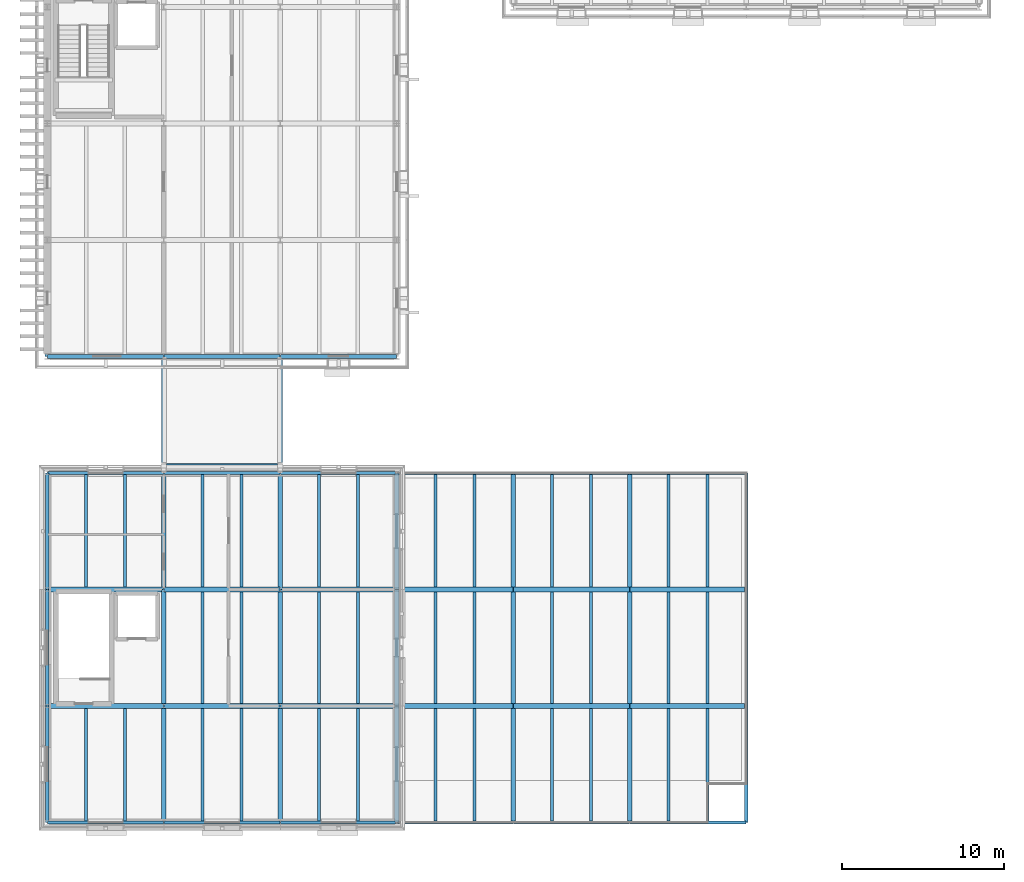
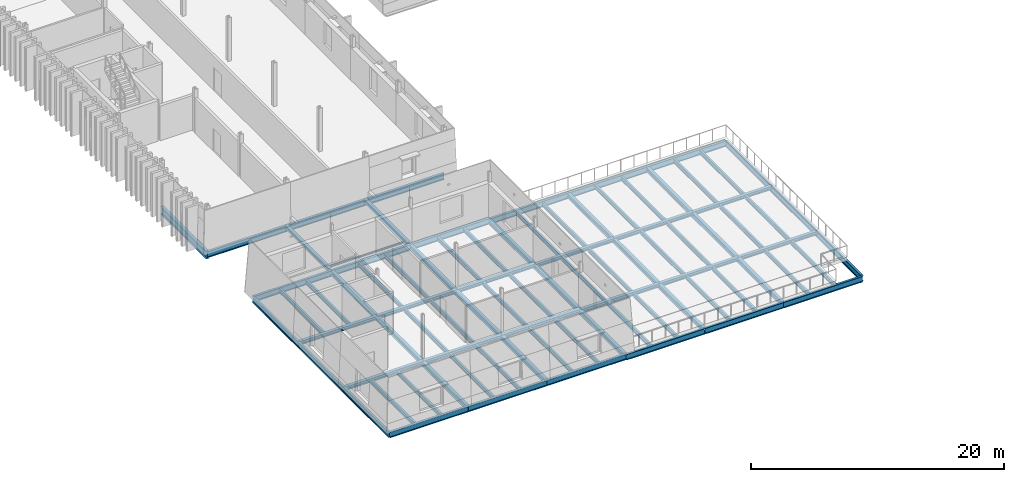
# One storey, part 18 of 115: 86 beams.
"""IFC4 building model written with IfcOpenShell, lengths in metres."""

from ifc_helpers import new_model, si_unit, direction, frame, origin, origin_2d, place, context, subcontext, project, spatial, i_section, extrude, material, material_profile, profile_set, type_object, element, save


model = new_model("IFC4")

# Units and contexts
model_context = context("Model", 3, precision=1e-05, world=origin(), true_north=direction((0.0, 1.0)))
body_context = subcontext(model_context, "Body", "Model", "MODEL_VIEW")
ifc_project = project(units=[si_unit("LENGTHUNIT", "METRE"), si_unit("AREAUNIT", "SQUARE_METRE"), si_unit("VOLUMEUNIT", "CUBIC_METRE"), si_unit("PLANEANGLEUNIT", "RADIAN"), si_unit("MASSUNIT", "GRAM", prefix="KILO")], contexts=[model_context])

# Site, building, storey
site_placement = place(None, origin())
site = spatial("IfcSite", under=ifc_project, at=site_placement, CompositionType="ELEMENT")
building_placement = place(site_placement, origin())
building = spatial("IfcBuilding", under=site, at=building_placement, Name="Narikvali Park Central Library", CompositionType="ELEMENT")
storey_placement = place(building_placement, frame((0.0, 0.0, 10.199951171875)))
storey = spatial("IfcBuildingStorey", under=building, at=storey_placement, Name="L02", CompositionType="ELEMENT", Elevation=10.199951171875)

# Beams
ifc_material = material(Name="Steel S355", Category="steel")
ifc_material_profile_1 = material_profile(ifc_material, i_section(OverallWidth=0.300048828125, OverallDepth=0.35009765625, WebThickness=0.010009765625, FlangeThickness=0.017578125, FilletRadius=0.027099609375, at=origin_2d()), Name="HEA 360")
ifc_profile_set_1 = profile_set([ifc_material_profile_1], Name="Steel S355")
beam_type_1 = type_object("IfcBeamType", Name="Bridge Sliding Girder HEA360", PredefinedType="BEAM", material=ifc_profile_set_1)
for number, where, z_axis, x_axis, name in (
    (1, (7.199951171875, 21.820068359375, -0.4150390625), (0.0, 1.0, 0.0), (-1.0, 0.0, 0.0), "BRG-5 L02 Sliding Bridge Girder 1-1"),
    (2, (14.39990234375, 21.820068359375, -0.4150390625), (0.0, 1.0, 0.0), (-1.0, 0.0, 0.0), "BRG-5 L02 Sliding Bridge Girder 2-1"),
):
    element("IfcBeam", number, at=place(storey_placement, frame(where, z_axis=z_axis, x_axis=x_axis)), inside=storey, type_object=beam_type_1, Name=name, PredefinedType="BEAM", context=body_context, shape_type="SweptSolid", body=[
        extrude(i_section(OverallWidth=0.300048828125, OverallDepth=0.35009765625, WebThickness=0.010009765625, FlangeThickness=0.017578125, FilletRadius=0.027099609375, at=origin_2d()), origin(), (0.0, 0.0, 1.0), 6.969970703125),
    ])
ifc_material_profile_2 = material_profile(ifc_material, i_section(OverallWidth=0.179931640625, OverallDepth=0.39990234375, WebThickness=0.008544921875, FlangeThickness=0.013427734375, FilletRadius=0.02099609375, at=origin_2d()), Name="IPE 400")
ifc_profile_set_2 = profile_set([ifc_material_profile_2], Name="Steel S355")
beam_type_2 = type_object("IfcBeamType", Name="Composite Floor Joist IPE400", PredefinedType="JOIST", material=ifc_profile_set_2)
for number, where, z_axis, x_axis, name in (
    (3, (2.39990234375, 0.10498046875, -0.47998046875), (0.0, 1.0, 0.0), (-1.0, 0.0, 0.0), "V2 L02 Composite Joist 1"),
    (4, (4.800048828125, 0.10498046875, -0.47998046875), (0.0, 1.0, 0.0), (-1.0, 0.0, 0.0), "V2 L02 Composite Joist 2"),
    (5, (2.39990234375, 14.550048828125, -0.47998046875), (0.0, 1.0, 0.0), (-1.0, 0.0, 0.0), "V2 L02 Composite Joist 1"),
    (6, (4.800048828125, 14.550048828125, -0.47998046875), (0.0, 1.0, 0.0), (-1.0, 0.0, 0.0), "V2 L02 Composite Joist 2"),
    (7, (9.60009765625, 0.10498046875, -0.47998046875), (0.0, 1.0, 0.0), (-1.0, 0.0, 0.0), "V2 L02 Composite Joist 1"),
    (8, (12.0, 0.10498046875, -0.47998046875), (0.0, 1.0, 0.0), (-1.0, 0.0, 0.0), "V2 L02 Composite Joist 2"),
):
    element("IfcBeam", number, at=place(storey_placement, frame(where, z_axis=z_axis, x_axis=x_axis)), inside=storey, type_object=beam_type_2, Name=name, PredefinedType="JOIST", context=body_context, shape_type="SweptSolid", body=[
        extrude(i_section(OverallWidth=0.179931640625, OverallDepth=0.39990234375, WebThickness=0.008544921875, FlangeThickness=0.013427734375, FilletRadius=0.02099609375, at=origin_2d()), origin(), (0.0, 0.0, 1.0), 6.945068359375),
    ])
for number, where, z_axis, x_axis, name in (
    (9, (9.60009765625, 7.35009765625, -0.47998046875), (0.0, 1.0, 0.0), (-1.0, 0.0, 0.0), "V2 L02 Composite Joist 1"),
    (10, (12.0, 7.35009765625, -0.47998046875), (0.0, 1.0, 0.0), (-1.0, 0.0, 0.0), "V2 L02 Composite Joist 2"),
):
    element("IfcBeam", number, at=place(storey_placement, frame(where, z_axis=z_axis, x_axis=x_axis)), inside=storey, type_object=beam_type_2, Name=name, PredefinedType="JOIST", context=body_context, shape_type="SweptSolid", body=[
        extrude(i_section(OverallWidth=0.179931640625, OverallDepth=0.39990234375, WebThickness=0.008544921875, FlangeThickness=0.013427734375, FilletRadius=0.02099609375, at=origin_2d()), origin(), (0.0, 0.0, 1.0), 6.89990234375),
    ])
for number, where, z_axis, x_axis, name in (
    (11, (9.60009765625, 14.550048828125, -0.47998046875), (0.0, 1.0, 0.0), (-1.0, 0.0, 0.0), "V2 L02 Composite Joist 1"),
    (12, (12.0, 14.550048828125, -0.47998046875), (0.0, 1.0, 0.0), (-1.0, 0.0, 0.0), "V2 L02 Composite Joist 2"),
    (13, (16.800048828125, 0.10498046875, -0.47998046875), (0.0, 1.0, 0.0), (-1.0, 0.0, 0.0), "V2 L02 Composite Joist 1"),
    (14, (19.199951171875, 0.10498046875, -0.47998046875), (0.0, 1.0, 0.0), (-1.0, 0.0, 0.0), "V2 L02 Composite Joist 2"),
):
    element("IfcBeam", number, at=place(storey_placement, frame(where, z_axis=z_axis, x_axis=x_axis)), inside=storey, type_object=beam_type_2, Name=name, PredefinedType="JOIST", context=body_context, shape_type="SweptSolid", body=[
        extrude(i_section(OverallWidth=0.179931640625, OverallDepth=0.39990234375, WebThickness=0.008544921875, FlangeThickness=0.013427734375, FilletRadius=0.02099609375, at=origin_2d()), origin(), (0.0, 0.0, 1.0), 6.945068359375),
    ])
for number, where, z_axis, x_axis, name in (
    (15, (16.800048828125, 7.35009765625, -0.47998046875), (0.0, 1.0, 0.0), (-1.0, 0.0, 0.0), "V2 L02 Composite Joist 1"),
    (16, (19.199951171875, 7.35009765625, -0.47998046875), (0.0, 1.0, 0.0), (-1.0, 0.0, 0.0), "V2 L02 Composite Joist 2"),
):
    element("IfcBeam", number, at=place(storey_placement, frame(where, z_axis=z_axis, x_axis=x_axis)), inside=storey, type_object=beam_type_2, Name=name, PredefinedType="JOIST", context=body_context, shape_type="SweptSolid", body=[
        extrude(i_section(OverallWidth=0.179931640625, OverallDepth=0.39990234375, WebThickness=0.008544921875, FlangeThickness=0.013427734375, FilletRadius=0.02099609375, at=origin_2d()), origin(), (0.0, 0.0, 1.0), 6.89990234375),
    ])
for number, where, z_axis, x_axis, name in (
    (17, (16.800048828125, 14.550048828125, -0.47998046875), (0.0, 1.0, 0.0), (-1.0, 0.0, 0.0), "V2 L02 Composite Joist 1"),
    (18, (19.199951171875, 14.550048828125, -0.47998046875), (0.0, 1.0, 0.0), (-1.0, 0.0, 0.0), "V2 L02 Composite Joist 2"),
    (19, (24.0, 0.10498046875, -0.5400390625), (0.0, 1.0, 0.0), (-1.0, 0.0, 0.0), "V2 L02 Composite Joist 1"),
    (20, (26.39990234375, 0.10498046875, -0.5400390625), (0.0, 1.0, 0.0), (-1.0, 0.0, 0.0), "V2 L02 Composite Joist 2"),
):
    element("IfcBeam", number, at=place(storey_placement, frame(where, z_axis=z_axis, x_axis=x_axis)), inside=storey, type_object=beam_type_2, Name=name, PredefinedType="JOIST", context=body_context, shape_type="SweptSolid", body=[
        extrude(i_section(OverallWidth=0.179931640625, OverallDepth=0.39990234375, WebThickness=0.008544921875, FlangeThickness=0.013427734375, FilletRadius=0.02099609375, at=origin_2d()), origin(), (0.0, 0.0, 1.0), 6.945068359375),
    ])
for number, where, z_axis, x_axis, name in (
    (21, (24.0, 7.35009765625, -0.5400390625), (0.0, 1.0, 0.0), (-1.0, 0.0, 0.0), "V2 L02 Composite Joist 1"),
    (22, (26.39990234375, 7.35009765625, -0.5400390625), (0.0, 1.0, 0.0), (-1.0, 0.0, 0.0), "V2 L02 Composite Joist 2"),
):
    element("IfcBeam", number, at=place(storey_placement, frame(where, z_axis=z_axis, x_axis=x_axis)), inside=storey, type_object=beam_type_2, Name=name, PredefinedType="JOIST", context=body_context, shape_type="SweptSolid", body=[
        extrude(i_section(OverallWidth=0.179931640625, OverallDepth=0.39990234375, WebThickness=0.008544921875, FlangeThickness=0.013427734375, FilletRadius=0.02099609375, at=origin_2d()), origin(), (0.0, 0.0, 1.0), 6.89990234375),
    ])
for number, where, z_axis, x_axis, name in (
    (23, (24.0, 14.550048828125, -0.5400390625), (0.0, 1.0, 0.0), (-1.0, 0.0, 0.0), "V2 L02 Composite Joist 1"),
    (24, (26.39990234375, 14.550048828125, -0.5400390625), (0.0, 1.0, 0.0), (-1.0, 0.0, 0.0), "V2 L02 Composite Joist 2"),
    (25, (31.199951171875, 0.10498046875, -0.5400390625), (0.0, 1.0, 0.0), (-1.0, 0.0, 0.0), "V2 L02 Composite Joist 1"),
    (26, (33.60009765625, 0.10498046875, -0.5400390625), (0.0, 1.0, 0.0), (-1.0, 0.0, 0.0), "V2 L02 Composite Joist 2"),
):
    element("IfcBeam", number, at=place(storey_placement, frame(where, z_axis=z_axis, x_axis=x_axis)), inside=storey, type_object=beam_type_2, Name=name, PredefinedType="JOIST", context=body_context, shape_type="SweptSolid", body=[
        extrude(i_section(OverallWidth=0.179931640625, OverallDepth=0.39990234375, WebThickness=0.008544921875, FlangeThickness=0.013427734375, FilletRadius=0.02099609375, at=origin_2d()), origin(), (0.0, 0.0, 1.0), 6.945068359375),
    ])
for number, where, z_axis, x_axis, name in (
    (27, (31.199951171875, 7.35009765625, -0.5400390625), (0.0, 1.0, 0.0), (-1.0, 0.0, 0.0), "V2 L02 Composite Joist 1"),
    (28, (33.60009765625, 7.35009765625, -0.5400390625), (0.0, 1.0, 0.0), (-1.0, 0.0, 0.0), "V2 L02 Composite Joist 2"),
):
    element("IfcBeam", number, at=place(storey_placement, frame(where, z_axis=z_axis, x_axis=x_axis)), inside=storey, type_object=beam_type_2, Name=name, PredefinedType="JOIST", context=body_context, shape_type="SweptSolid", body=[
        extrude(i_section(OverallWidth=0.179931640625, OverallDepth=0.39990234375, WebThickness=0.008544921875, FlangeThickness=0.013427734375, FilletRadius=0.02099609375, at=origin_2d()), origin(), (0.0, 0.0, 1.0), 6.89990234375),
    ])
for number, where, z_axis, x_axis, name in (
    (29, (31.199951171875, 14.550048828125, -0.5400390625), (0.0, 1.0, 0.0), (-1.0, 0.0, 0.0), "V2 L02 Composite Joist 1"),
    (30, (33.60009765625, 14.550048828125, -0.5400390625), (0.0, 1.0, 0.0), (-1.0, 0.0, 0.0), "V2 L02 Composite Joist 2"),
    (31, (38.39990234375, 0.10498046875, -0.5400390625), (0.0, 1.0, 0.0), (-1.0, 0.0, 0.0), "V2 L02 Composite Joist 1"),
    (32, (40.800048828125, 0.10498046875, -0.5400390625), (0.0, 1.0, 0.0), (-1.0, 0.0, 0.0), "V2 L02 Composite Joist 2"),
):
    element("IfcBeam", number, at=place(storey_placement, frame(where, z_axis=z_axis, x_axis=x_axis)), inside=storey, type_object=beam_type_2, Name=name, PredefinedType="JOIST", context=body_context, shape_type="SweptSolid", body=[
        extrude(i_section(OverallWidth=0.179931640625, OverallDepth=0.39990234375, WebThickness=0.008544921875, FlangeThickness=0.013427734375, FilletRadius=0.02099609375, at=origin_2d()), origin(), (0.0, 0.0, 1.0), 6.945068359375),
    ])
for number, where, z_axis, x_axis, name in (
    (33, (38.39990234375, 7.35009765625, -0.5400390625), (0.0, 1.0, 0.0), (-1.0, 0.0, 0.0), "V2 L02 Composite Joist 1"),
    (34, (40.800048828125, 7.35009765625, -0.5400390625), (0.0, 1.0, 0.0), (-1.0, 0.0, 0.0), "V2 L02 Composite Joist 2"),
):
    element("IfcBeam", number, at=place(storey_placement, frame(where, z_axis=z_axis, x_axis=x_axis)), inside=storey, type_object=beam_type_2, Name=name, PredefinedType="JOIST", context=body_context, shape_type="SweptSolid", body=[
        extrude(i_section(OverallWidth=0.179931640625, OverallDepth=0.39990234375, WebThickness=0.008544921875, FlangeThickness=0.013427734375, FilletRadius=0.02099609375, at=origin_2d()), origin(), (0.0, 0.0, 1.0), 6.89990234375),
    ])
for number, where, z_axis, x_axis, name in (
    (35, (38.39990234375, 14.550048828125, -0.5400390625), (0.0, 1.0, 0.0), (-1.0, 0.0, 0.0), "V2 L02 Composite Joist 1"),
    (36, (40.800048828125, 14.550048828125, -0.5400390625), (0.0, 1.0, 0.0), (-1.0, 0.0, 0.0), "V2 L02 Composite Joist 2"),
):
    element("IfcBeam", number, at=place(storey_placement, frame(where, z_axis=z_axis, x_axis=x_axis)), inside=storey, type_object=beam_type_2, Name=name, PredefinedType="JOIST", context=body_context, shape_type="SweptSolid", body=[
        extrude(i_section(OverallWidth=0.179931640625, OverallDepth=0.39990234375, WebThickness=0.008544921875, FlangeThickness=0.013427734375, FilletRadius=0.02099609375, at=origin_2d()), origin(), (0.0, 0.0, 1.0), 6.945068359375),
    ])
ifc_material_profile_3 = material_profile(ifc_material, i_section(OverallWidth=0.264892578125, OverallDepth=0.7529296875, WebThickness=0.01318359375, FlangeThickness=0.01708984375, FilletRadius=0.01708984375, at=origin_2d()), Name="IPE 750x147")
ifc_profile_set_3 = profile_set([ifc_material_profile_3], Name="Steel S355")
beam_type_3 = type_object("IfcBeamType", Name="Fin Facade Spandrel IPE750", PredefinedType="SPANDREL", material=ifc_profile_set_3)
beam_1_placement = place(storey_placement, frame((0.0, 28.80810546875, -0.676513671875), z_axis=(0.0, 1.0, 0.0), x_axis=(-1.0, 0.0, 0.0)))
element("IfcBeam", 37, at=beam_1_placement, inside=storey, type_object=beam_type_3, Name="V5 L02 Girder Y", PredefinedType="SPANDREL", context=body_context, shape_type="SweptSolid", body=[
    extrude(i_section(OverallWidth=0.264892578125, OverallDepth=0.7529296875, WebThickness=0.01318359375, FlangeThickness=0.01708984375, FilletRadius=0.01708984375, at=origin_2d()), origin(), (0.0, 0.0, 1.0), 7.183837890625),
])
ifc_material_profile_4 = material_profile(ifc_material, i_section(OverallWidth=0.300048828125, OverallDepth=0.340087890625, WebThickness=0.011962890625, FlangeThickness=0.021484375, FilletRadius=0.027099609375, at=origin_2d()), Name="HEB 340")
ifc_profile_set_4 = profile_set([ifc_material_profile_4], Name="Steel S355")
beam_type_4 = type_object("IfcBeamType", Name="Pavilion Interior Girder HEB340", PredefinedType="BEAM", material=ifc_profile_set_4)
beam_2_placement = place(storey_placement, frame((0.008056640625, 7.199951171875, -0.449951171875), z_axis=(1.0, 0.0, 0.0), x_axis=(0.0, 1.0, 0.0)))
element("IfcBeam", 38, at=beam_2_placement, inside=storey, type_object=beam_type_4, Name="V2 L02 Girder X", PredefinedType="BEAM", context=body_context, shape_type="SweptSolid", body=[
    extrude(i_section(OverallWidth=0.300048828125, OverallDepth=0.340087890625, WebThickness=0.011962890625, FlangeThickness=0.021484375, FilletRadius=0.027099609375, at=origin_2d()), origin(), (0.0, 0.0, 1.0), 7.183837890625),
])
for number, where, z_axis, x_axis, name in (
    (39, (7.2080078125, 7.199951171875, -0.449951171875), (1.0, 0.0, 0.0), (0.0, 1.0, 0.0), "V2 L02 Girder X"),
    (40, (14.407958984375, 7.199951171875, -0.449951171875), (1.0, 0.0, 0.0), (0.0, 1.0, 0.0), "V2 L02 Girder X"),
    (41, (21.60791015625, 7.199951171875, -0.510009765625), (1.0, 0.0, 0.0), (0.0, 1.0, 0.0), "V2 L02 Girder X"),
):
    element("IfcBeam", number, at=place(storey_placement, frame(where, z_axis=z_axis, x_axis=x_axis)), inside=storey, type_object=beam_type_4, Name=name, PredefinedType="BEAM", context=body_context, shape_type="SweptSolid", body=[
        extrude(i_section(OverallWidth=0.300048828125, OverallDepth=0.340087890625, WebThickness=0.011962890625, FlangeThickness=0.021484375, FilletRadius=0.027099609375, at=origin_2d()), origin(), (0.0, 0.0, 1.0), 7.18408203125),
    ])
for number, where, z_axis, x_axis, name in (
    (42, (28.80810546875, 7.199951171875, -0.510009765625), (1.0, 0.0, 0.0), (0.0, 1.0, 0.0), "V2 L02 Girder X"),
    (43, (36.008056640625, 7.199951171875, -0.510009765625), (1.0, 0.0, 0.0), (0.0, 1.0, 0.0), "V2 L02 Girder X"),
):
    element("IfcBeam", number, at=place(storey_placement, frame(where, z_axis=z_axis, x_axis=x_axis)), inside=storey, type_object=beam_type_4, Name=name, PredefinedType="BEAM", context=body_context, shape_type="SweptSolid", body=[
        extrude(i_section(OverallWidth=0.300048828125, OverallDepth=0.340087890625, WebThickness=0.011962890625, FlangeThickness=0.021484375, FilletRadius=0.027099609375, at=origin_2d()), origin(), (0.0, 0.0, 1.0), 7.183837890625),
    ])
ifc_material_profile_5 = material_profile(ifc_material, i_section(OverallWidth=0.2099609375, OverallDepth=0.550048828125, WebThickness=0.010986328125, FlangeThickness=0.01708984375, FilletRadius=0.02392578125, at=origin_2d()), Name="IPE 550")
ifc_profile_set_5 = profile_set([ifc_material_profile_5], Name="Steel S355")
beam_type_5 = type_object("IfcBeamType", Name="Perimeter Spandrel IPE550", PredefinedType="SPANDREL", material=ifc_profile_set_5)
beam_3_placement = place(storey_placement, frame((0.008056640625, 0.0, -0.554931640625), z_axis=(1.0, 0.0, 0.0), x_axis=(0.0, 1.0, 0.0)))
element("IfcBeam", 44, at=beam_3_placement, inside=storey, type_object=beam_type_5, Name="V2 L02 Girder X", PredefinedType="SPANDREL", context=body_context, shape_type="SweptSolid", body=[
    extrude(i_section(OverallWidth=0.2099609375, OverallDepth=0.550048828125, WebThickness=0.010986328125, FlangeThickness=0.01708984375, FilletRadius=0.02392578125, at=origin_2d()), origin(), (0.0, 0.0, 1.0), 7.183837890625),
])
for number, where, z_axis, x_axis, name in (
    (45, (7.2080078125, 0.0, -0.554931640625), (1.0, 0.0, 0.0), (0.0, 1.0, 0.0), "V2 L02 Girder X"),
    (46, (14.407958984375, 0.0, -0.554931640625), (1.0, 0.0, 0.0), (0.0, 1.0, 0.0), "V2 L02 Girder X"),
    (47, (21.60791015625, 0.0, -0.614990234375), (1.0, 0.0, 0.0), (0.0, 1.0, 0.0), "V2 L02 Girder X"),
):
    element("IfcBeam", number, at=place(storey_placement, frame(where, z_axis=z_axis, x_axis=x_axis)), inside=storey, type_object=beam_type_5, Name=name, PredefinedType="SPANDREL", context=body_context, shape_type="SweptSolid", body=[
        extrude(i_section(OverallWidth=0.2099609375, OverallDepth=0.550048828125, WebThickness=0.010986328125, FlangeThickness=0.01708984375, FilletRadius=0.02392578125, at=origin_2d()), origin(), (0.0, 0.0, 1.0), 7.18408203125),
    ])
for number, where, z_axis, x_axis, name in (
    (48, (28.80810546875, 0.0, -0.614990234375), (1.0, 0.0, 0.0), (0.0, 1.0, 0.0), "V2 L02 Girder X"),
    (49, (36.008056640625, 0.0, -0.614990234375), (1.0, 0.0, 0.0), (0.0, 1.0, 0.0), "V2 L02 Girder X"),
    (50, (0.008056640625, 21.60009765625, -0.554931640625), (1.0, 0.0, 0.0), (0.0, 1.0, 0.0), "V2 L02 Girder X"),
):
    element("IfcBeam", number, at=place(storey_placement, frame(where, z_axis=z_axis, x_axis=x_axis)), inside=storey, type_object=beam_type_5, Name=name, PredefinedType="SPANDREL", context=body_context, shape_type="SweptSolid", body=[
        extrude(i_section(OverallWidth=0.2099609375, OverallDepth=0.550048828125, WebThickness=0.010986328125, FlangeThickness=0.01708984375, FilletRadius=0.02392578125, at=origin_2d()), origin(), (0.0, 0.0, 1.0), 7.183837890625),
    ])
for number, where, z_axis, x_axis, name in (
    (51, (7.2080078125, 21.60009765625, -0.554931640625), (1.0, 0.0, 0.0), (0.0, 1.0, 0.0), "V2 L02 Girder X"),
    (52, (14.407958984375, 21.60009765625, -0.554931640625), (1.0, 0.0, 0.0), (0.0, 1.0, 0.0), "V2 L02 Girder X"),
    (53, (21.60791015625, 21.60009765625, -0.614990234375), (1.0, 0.0, 0.0), (0.0, 1.0, 0.0), "V2 L02 Girder X"),
):
    element("IfcBeam", number, at=place(storey_placement, frame(where, z_axis=z_axis, x_axis=x_axis)), inside=storey, type_object=beam_type_5, Name=name, PredefinedType="SPANDREL", context=body_context, shape_type="SweptSolid", body=[
        extrude(i_section(OverallWidth=0.2099609375, OverallDepth=0.550048828125, WebThickness=0.010986328125, FlangeThickness=0.01708984375, FilletRadius=0.02392578125, at=origin_2d()), origin(), (0.0, 0.0, 1.0), 7.18408203125),
    ])
for number, where, z_axis, x_axis, name in (
    (54, (28.80810546875, 21.60009765625, -0.614990234375), (1.0, 0.0, 0.0), (0.0, 1.0, 0.0), "V2 L02 Girder X"),
    (55, (36.008056640625, 21.60009765625, -0.614990234375), (1.0, 0.0, 0.0), (0.0, 1.0, 0.0), "V2 L02 Girder X"),
    (56, (0.0, 0.008056640625, -0.554931640625), (0.0, 1.0, 0.0), (-1.0, 0.0, 0.0), "V2 L02 Girder Y"),
):
    element("IfcBeam", number, at=place(storey_placement, frame(where, z_axis=z_axis, x_axis=x_axis)), inside=storey, type_object=beam_type_5, Name=name, PredefinedType="SPANDREL", context=body_context, shape_type="SweptSolid", body=[
        extrude(i_section(OverallWidth=0.2099609375, OverallDepth=0.550048828125, WebThickness=0.010986328125, FlangeThickness=0.01708984375, FilletRadius=0.02392578125, at=origin_2d()), origin(), (0.0, 0.0, 1.0), 7.183837890625),
    ])
for number, where, z_axis, x_axis, name in (
    (57, (0.0, 7.2080078125, -0.554931640625), (0.0, 1.0, 0.0), (-1.0, 0.0, 0.0), "V2 L02 Girder Y"),
    (58, (0.0, 14.407958984375, -0.554931640625), (0.0, 1.0, 0.0), (-1.0, 0.0, 0.0), "V2 L02 Girder Y"),
):
    element("IfcBeam", number, at=place(storey_placement, frame(where, z_axis=z_axis, x_axis=x_axis)), inside=storey, type_object=beam_type_5, Name=name, PredefinedType="SPANDREL", context=body_context, shape_type="SweptSolid", body=[
        extrude(i_section(OverallWidth=0.2099609375, OverallDepth=0.550048828125, WebThickness=0.010986328125, FlangeThickness=0.01708984375, FilletRadius=0.02392578125, at=origin_2d()), origin(), (0.0, 0.0, 1.0), 7.18408203125),
    ])
beam_4_placement = place(storey_placement, frame((43.199951171875, 0.008056640625, -0.614990234375), z_axis=(0.0, 1.0, 0.0), x_axis=(-1.0, 0.0, 0.0)))
element("IfcBeam", 59, at=beam_4_placement, inside=storey, type_object=beam_type_5, Name="V2 L02 Girder Y", PredefinedType="SPANDREL", context=body_context, shape_type="SweptSolid", body=[
    extrude(i_section(OverallWidth=0.2099609375, OverallDepth=0.550048828125, WebThickness=0.010986328125, FlangeThickness=0.01708984375, FilletRadius=0.02392578125, at=origin_2d()), origin(), (0.0, 0.0, 1.0), 7.183837890625),
])
for number, where, z_axis, x_axis, name in (
    (60, (43.199951171875, 7.2080078125, -0.614990234375), (0.0, 1.0, 0.0), (-1.0, 0.0, 0.0), "V2 L02 Girder Y"),
    (61, (43.199951171875, 14.407958984375, -0.614990234375), (0.0, 1.0, 0.0), (-1.0, 0.0, 0.0), "V2 L02 Girder Y"),
):
    element("IfcBeam", number, at=place(storey_placement, frame(where, z_axis=z_axis, x_axis=x_axis)), inside=storey, type_object=beam_type_5, Name=name, PredefinedType="SPANDREL", context=body_context, shape_type="SweptSolid", body=[
        extrude(i_section(OverallWidth=0.2099609375, OverallDepth=0.550048828125, WebThickness=0.010986328125, FlangeThickness=0.01708984375, FilletRadius=0.02392578125, at=origin_2d()), origin(), (0.0, 0.0, 1.0), 7.18408203125),
    ])
ifc_material_profile_6 = material_profile(ifc_material, i_section(OverallWidth=0.219970703125, OverallDepth=0.60009765625, WebThickness=0.011962890625, FlangeThickness=0.01904296875, FilletRadius=0.02392578125, at=origin_2d()), Name="IPE 600")
ifc_profile_set_6 = profile_set([ifc_material_profile_6], Name="Steel S355")
beam_type_6 = type_object("IfcBeamType", Name="Perimeter Spandrel IPE600", PredefinedType="SPANDREL", material=ifc_profile_set_6)
beam_5_placement = place(storey_placement, frame((0.008056640625, 28.800048828125, -0.599853515625), z_axis=(1.0, 0.0, 0.0), x_axis=(0.0, 1.0, 0.0)))
element("IfcBeam", 62, at=beam_5_placement, inside=storey, type_object=beam_type_6, Name="V5 L02 Girder X", PredefinedType="SPANDREL", context=body_context, shape_type="SweptSolid", body=[
    extrude(i_section(OverallWidth=0.219970703125, OverallDepth=0.60009765625, WebThickness=0.011962890625, FlangeThickness=0.01904296875, FilletRadius=0.02392578125, at=origin_2d()), origin(), (0.0, 0.0, 1.0), 7.183837890625),
])
for number, where, z_axis, x_axis, name in (
    (63, (7.2080078125, 28.800048828125, -0.599853515625), (1.0, 0.0, 0.0), (0.0, 1.0, 0.0), "V5 L02 Girder X"),
    (64, (14.407958984375, 28.800048828125, -0.599853515625), (1.0, 0.0, 0.0), (0.0, 1.0, 0.0), "V5 L02 Girder X"),
):
    element("IfcBeam", number, at=place(storey_placement, frame(where, z_axis=z_axis, x_axis=x_axis)), inside=storey, type_object=beam_type_6, Name=name, PredefinedType="SPANDREL", context=body_context, shape_type="SweptSolid", body=[
        extrude(i_section(OverallWidth=0.219970703125, OverallDepth=0.60009765625, WebThickness=0.011962890625, FlangeThickness=0.01904296875, FilletRadius=0.02392578125, at=origin_2d()), origin(), (0.0, 0.0, 1.0), 7.18408203125),
    ])
ifc_material_profile_7 = material_profile(ifc_material, i_section(OverallWidth=0.091064453125, OverallDepth=0.179931640625, WebThickness=0.00537109375, FlangeThickness=0.008056640625, FilletRadius=0.009033203125, at=origin_2d()), Name="IPE 180")
ifc_profile_set_7 = profile_set([ifc_material_profile_7], Name="Steel S355")
beam_type_7 = type_object("IfcBeamType", Name="Portal Steel Lintel IPE180", PredefinedType="LINTEL", material=ifc_profile_set_7)
beam_6_placement = place(storey_placement, frame((7.360107421875, 22.14990234375, -0.329833984375), z_axis=(1.0, 0.0, 0.0), x_axis=(0.0, 1.0, 0.0)))
element("IfcBeam", 65, at=beam_6_placement, inside=storey, type_object=beam_type_7, Name="BRG-5 L02 Portal Transverse Lintel", PredefinedType="LINTEL", context=body_context, shape_type="SweptSolid", body=[
    extrude(i_section(OverallWidth=0.091064453125, OverallDepth=0.179931640625, WebThickness=0.00537109375, FlangeThickness=0.008056640625, FilletRadius=0.009033203125, at=origin_2d()), origin(), (0.0, 0.0, 1.0), 6.8798828125),
])
ifc_material_profile_8 = material_profile(ifc_material, i_section(OverallWidth=0.300048828125, OverallDepth=0.330078125, WebThickness=0.009521484375, FlangeThickness=0.0166015625, FilletRadius=0.027099609375, at=origin_2d()), Name="HEA 340")
ifc_profile_set_8 = profile_set([ifc_material_profile_8], Name="Steel S355")
beam_type_8 = type_object("IfcBeamType", Name="Primary Girder HEA340", PredefinedType="BEAM", material=ifc_profile_set_8)
beam_7_placement = place(storey_placement, frame((0.008056640625, 14.39990234375, -0.445068359375), z_axis=(1.0, 0.0, 0.0), x_axis=(0.0, 1.0, 0.0)))
element("IfcBeam", 66, at=beam_7_placement, inside=storey, type_object=beam_type_8, Name="V2 L02 Girder X", PredefinedType="BEAM", context=body_context, shape_type="SweptSolid", body=[
    extrude(i_section(OverallWidth=0.300048828125, OverallDepth=0.330078125, WebThickness=0.009521484375, FlangeThickness=0.0166015625, FilletRadius=0.027099609375, at=origin_2d()), origin(), (0.0, 0.0, 1.0), 7.183837890625),
])
for number, where, z_axis, x_axis, name in (
    (67, (7.2080078125, 14.39990234375, -0.445068359375), (1.0, 0.0, 0.0), (0.0, 1.0, 0.0), "V2 L02 Girder X"),
    (68, (14.407958984375, 14.39990234375, -0.445068359375), (1.0, 0.0, 0.0), (0.0, 1.0, 0.0), "V2 L02 Girder X"),
    (69, (21.60791015625, 14.39990234375, -0.5048828125), (1.0, 0.0, 0.0), (0.0, 1.0, 0.0), "V2 L02 Girder X"),
):
    element("IfcBeam", number, at=place(storey_placement, frame(where, z_axis=z_axis, x_axis=x_axis)), inside=storey, type_object=beam_type_8, Name=name, PredefinedType="BEAM", context=body_context, shape_type="SweptSolid", body=[
        extrude(i_section(OverallWidth=0.300048828125, OverallDepth=0.330078125, WebThickness=0.009521484375, FlangeThickness=0.0166015625, FilletRadius=0.027099609375, at=origin_2d()), origin(), (0.0, 0.0, 1.0), 7.18408203125),
    ])
for number, where, z_axis, x_axis, name in (
    (70, (28.80810546875, 14.39990234375, -0.5048828125), (1.0, 0.0, 0.0), (0.0, 1.0, 0.0), "V2 L02 Girder X"),
    (71, (36.008056640625, 14.39990234375, -0.5048828125), (1.0, 0.0, 0.0), (0.0, 1.0, 0.0), "V2 L02 Girder X"),
):
    element("IfcBeam", number, at=place(storey_placement, frame(where, z_axis=z_axis, x_axis=x_axis)), inside=storey, type_object=beam_type_8, Name=name, PredefinedType="BEAM", context=body_context, shape_type="SweptSolid", body=[
        extrude(i_section(OverallWidth=0.300048828125, OverallDepth=0.330078125, WebThickness=0.009521484375, FlangeThickness=0.0166015625, FilletRadius=0.027099609375, at=origin_2d()), origin(), (0.0, 0.0, 1.0), 7.183837890625),
    ])
ifc_material_profile_9 = material_profile(ifc_material, i_section(OverallWidth=0.300048828125, OverallDepth=0.43994140625, WebThickness=0.011474609375, FlangeThickness=0.02099609375, FilletRadius=0.027099609375, at=origin_2d()), Name="HEA 450")
ifc_profile_set_9 = profile_set([ifc_material_profile_9], Name="Steel S355")
beam_type_9 = type_object("IfcBeamType", Name="Primary Girder HEA450", PredefinedType="BEAM", material=ifc_profile_set_9)
beam_8_placement = place(storey_placement, frame((7.199951171875, 0.008056640625, -0.5), z_axis=(0.0, 1.0, 0.0), x_axis=(-1.0, 0.0, 0.0)))
element("IfcBeam", 72, at=beam_8_placement, inside=storey, type_object=beam_type_9, Name="V2 L02 Girder Y", PredefinedType="BEAM", context=body_context, shape_type="SweptSolid", body=[
    extrude(i_section(OverallWidth=0.300048828125, OverallDepth=0.43994140625, WebThickness=0.011474609375, FlangeThickness=0.02099609375, FilletRadius=0.027099609375, at=origin_2d()), origin(), (0.0, 0.0, 1.0), 7.183837890625),
])
for number, where, z_axis, x_axis, name in (
    (73, (7.199951171875, 7.2080078125, -0.5), (0.0, 1.0, 0.0), (-1.0, 0.0, 0.0), "V2 L02 Girder Y"),
    (74, (7.199951171875, 14.407958984375, -0.5), (0.0, 1.0, 0.0), (-1.0, 0.0, 0.0), "V2 L02 Girder Y"),
):
    element("IfcBeam", number, at=place(storey_placement, frame(where, z_axis=z_axis, x_axis=x_axis)), inside=storey, type_object=beam_type_9, Name=name, PredefinedType="BEAM", context=body_context, shape_type="SweptSolid", body=[
        extrude(i_section(OverallWidth=0.300048828125, OverallDepth=0.43994140625, WebThickness=0.011474609375, FlangeThickness=0.02099609375, FilletRadius=0.027099609375, at=origin_2d()), origin(), (0.0, 0.0, 1.0), 7.18408203125),
    ])
beam_9_placement = place(storey_placement, frame((14.39990234375, 0.008056640625, -0.5), z_axis=(0.0, 1.0, 0.0), x_axis=(-1.0, 0.0, 0.0)))
element("IfcBeam", 75, at=beam_9_placement, inside=storey, type_object=beam_type_9, Name="V2 L02 Girder Y", PredefinedType="BEAM", context=body_context, shape_type="SweptSolid", body=[
    extrude(i_section(OverallWidth=0.300048828125, OverallDepth=0.43994140625, WebThickness=0.011474609375, FlangeThickness=0.02099609375, FilletRadius=0.027099609375, at=origin_2d()), origin(), (0.0, 0.0, 1.0), 7.183837890625),
])
for number, where, z_axis, x_axis, name in (
    (76, (14.39990234375, 7.2080078125, -0.5), (0.0, 1.0, 0.0), (-1.0, 0.0, 0.0), "V2 L02 Girder Y"),
    (77, (14.39990234375, 14.407958984375, -0.5), (0.0, 1.0, 0.0), (-1.0, 0.0, 0.0), "V2 L02 Girder Y"),
):
    element("IfcBeam", number, at=place(storey_placement, frame(where, z_axis=z_axis, x_axis=x_axis)), inside=storey, type_object=beam_type_9, Name=name, PredefinedType="BEAM", context=body_context, shape_type="SweptSolid", body=[
        extrude(i_section(OverallWidth=0.300048828125, OverallDepth=0.43994140625, WebThickness=0.011474609375, FlangeThickness=0.02099609375, FilletRadius=0.027099609375, at=origin_2d()), origin(), (0.0, 0.0, 1.0), 7.18408203125),
    ])
beam_10_placement = place(storey_placement, frame((21.60009765625, 0.008056640625, -0.56005859375), z_axis=(0.0, 1.0, 0.0), x_axis=(-1.0, 0.0, 0.0)))
element("IfcBeam", 78, at=beam_10_placement, inside=storey, type_object=beam_type_9, Name="V2 L02 Girder Y", PredefinedType="BEAM", context=body_context, shape_type="SweptSolid", body=[
    extrude(i_section(OverallWidth=0.300048828125, OverallDepth=0.43994140625, WebThickness=0.011474609375, FlangeThickness=0.02099609375, FilletRadius=0.027099609375, at=origin_2d()), origin(), (0.0, 0.0, 1.0), 7.183837890625),
])
for number, where, z_axis, x_axis, name in (
    (79, (21.60009765625, 7.2080078125, -0.56005859375), (0.0, 1.0, 0.0), (-1.0, 0.0, 0.0), "V2 L02 Girder Y"),
    (80, (21.60009765625, 14.407958984375, -0.56005859375), (0.0, 1.0, 0.0), (-1.0, 0.0, 0.0), "V2 L02 Girder Y"),
):
    element("IfcBeam", number, at=place(storey_placement, frame(where, z_axis=z_axis, x_axis=x_axis)), inside=storey, type_object=beam_type_9, Name=name, PredefinedType="BEAM", context=body_context, shape_type="SweptSolid", body=[
        extrude(i_section(OverallWidth=0.300048828125, OverallDepth=0.43994140625, WebThickness=0.011474609375, FlangeThickness=0.02099609375, FilletRadius=0.027099609375, at=origin_2d()), origin(), (0.0, 0.0, 1.0), 7.18408203125),
    ])
beam_11_placement = place(storey_placement, frame((28.800048828125, 0.008056640625, -0.56005859375), z_axis=(0.0, 1.0, 0.0), x_axis=(-1.0, 0.0, 0.0)))
element("IfcBeam", 81, at=beam_11_placement, inside=storey, type_object=beam_type_9, Name="V2 L02 Girder Y", PredefinedType="BEAM", context=body_context, shape_type="SweptSolid", body=[
    extrude(i_section(OverallWidth=0.300048828125, OverallDepth=0.43994140625, WebThickness=0.011474609375, FlangeThickness=0.02099609375, FilletRadius=0.027099609375, at=origin_2d()), origin(), (0.0, 0.0, 1.0), 7.183837890625),
])
for number, where, z_axis, x_axis, name in (
    (82, (28.800048828125, 7.2080078125, -0.56005859375), (0.0, 1.0, 0.0), (-1.0, 0.0, 0.0), "V2 L02 Girder Y"),
    (83, (28.800048828125, 14.407958984375, -0.56005859375), (0.0, 1.0, 0.0), (-1.0, 0.0, 0.0), "V2 L02 Girder Y"),
):
    element("IfcBeam", number, at=place(storey_placement, frame(where, z_axis=z_axis, x_axis=x_axis)), inside=storey, type_object=beam_type_9, Name=name, PredefinedType="BEAM", context=body_context, shape_type="SweptSolid", body=[
        extrude(i_section(OverallWidth=0.300048828125, OverallDepth=0.43994140625, WebThickness=0.011474609375, FlangeThickness=0.02099609375, FilletRadius=0.027099609375, at=origin_2d()), origin(), (0.0, 0.0, 1.0), 7.18408203125),
    ])
beam_12_placement = place(storey_placement, frame((36.0, 0.008056640625, -0.56005859375), z_axis=(0.0, 1.0, 0.0), x_axis=(-1.0, 0.0, 0.0)))
element("IfcBeam", 84, at=beam_12_placement, inside=storey, type_object=beam_type_9, Name="V2 L02 Girder Y", PredefinedType="BEAM", context=body_context, shape_type="SweptSolid", body=[
    extrude(i_section(OverallWidth=0.300048828125, OverallDepth=0.43994140625, WebThickness=0.011474609375, FlangeThickness=0.02099609375, FilletRadius=0.027099609375, at=origin_2d()), origin(), (0.0, 0.0, 1.0), 7.183837890625),
])
for number, where, z_axis, x_axis, name in (
    (85, (36.0, 7.2080078125, -0.56005859375), (0.0, 1.0, 0.0), (-1.0, 0.0, 0.0), "V2 L02 Girder Y"),
    (86, (36.0, 14.407958984375, -0.56005859375), (0.0, 1.0, 0.0), (-1.0, 0.0, 0.0), "V2 L02 Girder Y"),
):
    element("IfcBeam", number, at=place(storey_placement, frame(where, z_axis=z_axis, x_axis=x_axis)), inside=storey, type_object=beam_type_9, Name=name, PredefinedType="BEAM", context=body_context, shape_type="SweptSolid", body=[
        extrude(i_section(OverallWidth=0.300048828125, OverallDepth=0.43994140625, WebThickness=0.011474609375, FlangeThickness=0.02099609375, FilletRadius=0.027099609375, at=origin_2d()), origin(), (0.0, 0.0, 1.0), 7.18408203125),
    ])

save(model, "model.ifc")
